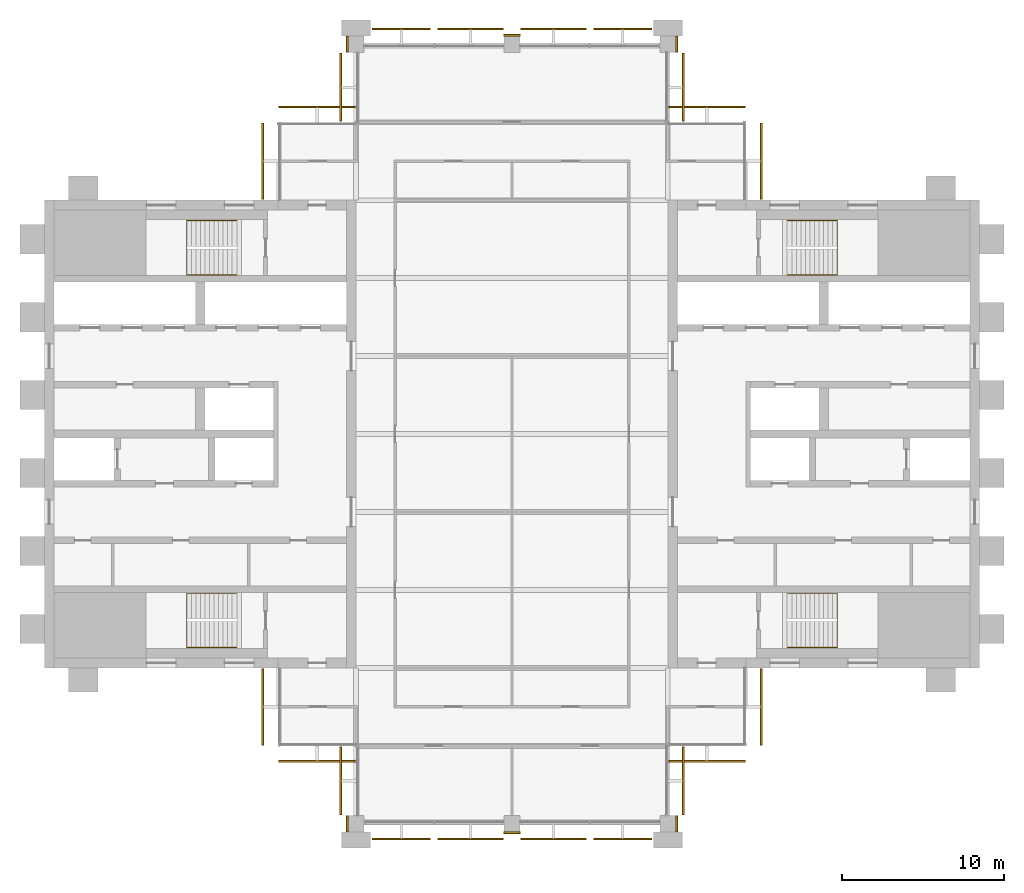
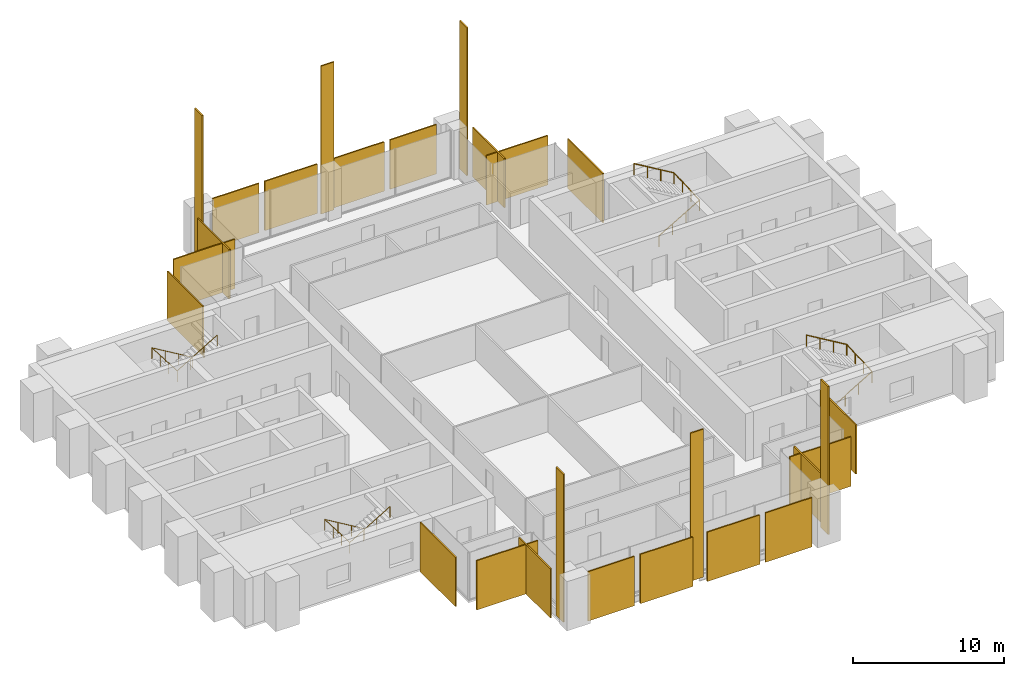
# One storey, part 13 of 13: 26 coverings, 4 railings.
"""IFC4 building model written with IfcOpenShell, lengths in metres."""

from ifc_helpers import new_model, si_unit, direction, frame, origin, origin_2d, place, context, subcontext, project, spatial, polyline, rectangle, circle, outline, extrude, material, layer, layer_set, type_object, element, save


model = new_model("IFC4")

# Units and contexts
model_context = context("Model", 3, precision=1e-05, world=origin(), true_north=direction((0.0, 1.0)))
body_context = subcontext(model_context, "Body", "Model", "MODEL_VIEW")
ifc_project = project(units=[si_unit("LENGTHUNIT", "METRE"), si_unit("AREAUNIT", "SQUARE_METRE"), si_unit("VOLUMEUNIT", "CUBIC_METRE"), si_unit("PLANEANGLEUNIT", "RADIAN"), si_unit("MASSUNIT", "GRAM", prefix="KILO")], contexts=[model_context])

# Site, building, storey
site_placement = place(None, origin())
site = spatial("IfcSite", under=ifc_project, at=site_placement, CompositionType="ELEMENT")
building_placement = place(site_placement, origin())
building = spatial("IfcBuilding", under=site, at=building_placement, Name="Baori Bourse Tower", CompositionType="ELEMENT")
storey_placement = place(building_placement, frame((0.0, 0.0, 294.300048828125)))
storey = spatial("IfcBuildingStorey", under=building, at=storey_placement, Name="L64", CompositionType="ELEMENT", Elevation=294.300048828125)

# Railings
ifc_material_1 = material(Name="Powder-coated steel balustrade", Category="steel")
railing_type = type_object("IfcRailingType", Name="Core stair handrail", PredefinedType="HANDRAIL", material=ifc_material_1)
railing_1_placement = place(storey_placement, frame((11.85009765625, 14.199951171875, 0.16650390625)))
element("IfcRailing", 1, at=railing_1_placement, inside=storey, type_object=railing_type, Name="L64 ST1 stair handrail 1", PredefinedType="HANDRAIL", context=body_context, shape_type="SweptSolid", body=[
    extrude(circle(Radius=0.02392578125, at=origin_2d()), frame((0.0, 0.0, 0.8759765625), z_axis=(-0.85927862911, 0.0, 0.511507807912), x_axis=(0.0, -1.0, 0.0)), (0.0, 0.0, 1.0), 3.58447265625),
    extrude(circle(Radius=0.02392578125, at=origin_2d()), frame((-3.080078125, 0.0, 2.70947265625), z_axis=(0.0, -0.998766999029, 0.049643545903), x_axis=(1.0, 0.0, 0.0)), (0.0, 0.0, 1.0), 3.35400390625),
    extrude(circle(Radius=0.02392578125, at=origin_2d()), frame((-3.080078125, -3.349853515625, 2.8759765625), z_axis=(0.85927862911, 0.0, 0.511507807912), x_axis=(0.0, 1.0, 0.0)), (0.0, 0.0, 1.0), 3.58447265625),
    extrude(circle(Radius=0.02099609375, at=origin_2d()), origin(), (0.0, 0.0, 1.0), 0.851806640625),
    extrude(circle(Radius=0.02099609375, at=origin_2d()), frame((-1.026611328125, 0.0, 0.611083984375)), (0.0, 0.0, 1.0), 0.851806640625),
    extrude(circle(Radius=0.02099609375, at=origin_2d()), frame((-2.053466796875, 0.0, 1.222412109375)), (0.0, 0.0, 1.0), 0.851806640625),
    extrude(circle(Radius=0.02099609375, at=origin_2d()), frame((-3.080078125, 0.0, 1.83349609375)), (0.0, 0.0, 1.0), 0.851806640625),
    extrude(circle(Radius=0.02099609375, at=origin_2d()), frame((-3.080078125, -1.11669921875, 1.888916015625)), (0.0, 0.0, 1.0), 0.851806640625),
    extrude(circle(Radius=0.02099609375, at=origin_2d()), frame((-3.080078125, -2.233154296875, 1.944580078125)), (0.0, 0.0, 1.0), 0.851806640625),
    extrude(circle(Radius=0.02099609375, at=origin_2d()), frame((-3.080078125, -3.349853515625, 2.0)), (0.0, 0.0, 1.0), 0.851806640625),
    extrude(circle(Radius=0.02099609375, at=origin_2d()), frame((-2.053466796875, -3.349853515625, 2.611083984375)), (0.0, 0.0, 1.0), 0.851806640625),
    extrude(circle(Radius=0.02099609375, at=origin_2d()), frame((-1.026611328125, -3.349853515625, 3.222412109375)), (0.0, 0.0, 1.0), 0.851806640625),
    extrude(circle(Radius=0.02099609375, at=origin_2d()), frame((0.0, -3.349853515625, 3.83349609375)), (0.0, 0.0, 1.0), 0.851806640625),
])
railing_2_placement = place(storey_placement, frame((11.85009765625, 37.14990234375, 0.16650390625)))
element("IfcRailing", 2, at=railing_2_placement, inside=storey, type_object=railing_type, Name="L64 ST2 stair handrail 1", PredefinedType="HANDRAIL", context=body_context, shape_type="SweptSolid", body=[
    extrude(circle(Radius=0.02392578125, at=origin_2d()), frame((0.0, 0.0, 0.8759765625), z_axis=(-0.85927862911, 0.0, 0.511507807912), x_axis=(0.0, -1.0, 0.0)), (0.0, 0.0, 1.0), 3.58447265625),
    extrude(circle(Radius=0.02392578125, at=origin_2d()), frame((-3.080078125, 0.0, 2.70947265625), z_axis=(0.0, -0.998766999029, 0.049643545903), x_axis=(1.0, 0.0, 0.0)), (0.0, 0.0, 1.0), 3.35400390625),
    extrude(circle(Radius=0.02392578125, at=origin_2d()), frame((-3.080078125, -3.349853515625, 2.8759765625), z_axis=(0.85927862911, 0.0, 0.511507807912), x_axis=(0.0, 1.0, 0.0)), (0.0, 0.0, 1.0), 3.58447265625),
    extrude(circle(Radius=0.02099609375, at=origin_2d()), origin(), (0.0, 0.0, 1.0), 0.851806640625),
    extrude(circle(Radius=0.02099609375, at=origin_2d()), frame((-1.026611328125, 0.0, 0.611083984375)), (0.0, 0.0, 1.0), 0.851806640625),
    extrude(circle(Radius=0.02099609375, at=origin_2d()), frame((-2.053466796875, 0.0, 1.222412109375)), (0.0, 0.0, 1.0), 0.851806640625),
    extrude(circle(Radius=0.02099609375, at=origin_2d()), frame((-3.080078125, 0.0, 1.83349609375)), (0.0, 0.0, 1.0), 0.851806640625),
    extrude(circle(Radius=0.02099609375, at=origin_2d()), frame((-3.080078125, -1.11669921875, 1.888916015625)), (0.0, 0.0, 1.0), 0.851806640625),
    extrude(circle(Radius=0.02099609375, at=origin_2d()), frame((-3.080078125, -2.233154296875, 1.944580078125)), (0.0, 0.0, 1.0), 0.851806640625),
    extrude(circle(Radius=0.02099609375, at=origin_2d()), frame((-3.080078125, -3.349853515625, 2.0)), (0.0, 0.0, 1.0), 0.851806640625),
    extrude(circle(Radius=0.02099609375, at=origin_2d()), frame((-2.053466796875, -3.349853515625, 2.611083984375)), (0.0, 0.0, 1.0), 0.851806640625),
    extrude(circle(Radius=0.02099609375, at=origin_2d()), frame((-1.026611328125, -3.349853515625, 3.222412109375)), (0.0, 0.0, 1.0), 0.851806640625),
    extrude(circle(Radius=0.02099609375, at=origin_2d()), frame((0.0, -3.349853515625, 3.83349609375)), (0.0, 0.0, 1.0), 0.851806640625),
])
railing_3_placement = place(storey_placement, frame((45.75, 10.85009765625, 0.16650390625)))
element("IfcRailing", 3, at=railing_3_placement, inside=storey, type_object=railing_type, Name="L64 ST3 stair handrail 1", PredefinedType="HANDRAIL", context=body_context, shape_type="SweptSolid", body=[
    extrude(circle(Radius=0.02392578125, at=origin_2d()), frame((0.0, 0.0, 0.8759765625), z_axis=(0.85927862911, 0.0, 0.511507807912), x_axis=(0.0, 1.0, 0.0)), (0.0, 0.0, 1.0), 3.58447265625),
    extrude(circle(Radius=0.02392578125, at=origin_2d()), frame((3.080078125, 0.0, 2.70947265625), z_axis=(0.0, 0.998766999029, 0.049643545903), x_axis=(-1.0, 0.0, 0.0)), (0.0, 0.0, 1.0), 3.35400390625),
    extrude(circle(Radius=0.02392578125, at=origin_2d()), frame((3.080078125, 3.349853515625, 2.8759765625), z_axis=(-0.85927862911, 0.0, 0.511507807912), x_axis=(0.0, -1.0, 0.0)), (0.0, 0.0, 1.0), 3.58447265625),
    extrude(circle(Radius=0.02099609375, at=origin_2d()), origin(), (0.0, 0.0, 1.0), 0.851806640625),
    extrude(circle(Radius=0.02099609375, at=origin_2d()), frame((1.026611328125, 0.0, 0.611083984375)), (0.0, 0.0, 1.0), 0.851806640625),
    extrude(circle(Radius=0.02099609375, at=origin_2d()), frame((2.053466796875, 0.0, 1.222412109375)), (0.0, 0.0, 1.0), 0.851806640625),
    extrude(circle(Radius=0.02099609375, at=origin_2d()), frame((3.080078125, 0.0, 1.83349609375)), (0.0, 0.0, 1.0), 0.851806640625),
    extrude(circle(Radius=0.02099609375, at=origin_2d()), frame((3.080078125, 1.11669921875, 1.888916015625)), (0.0, 0.0, 1.0), 0.851806640625),
    extrude(circle(Radius=0.02099609375, at=origin_2d()), frame((3.080078125, 2.233154296875, 1.944580078125)), (0.0, 0.0, 1.0), 0.851806640625),
    extrude(circle(Radius=0.02099609375, at=origin_2d()), frame((3.080078125, 3.349853515625, 2.0)), (0.0, 0.0, 1.0), 0.851806640625),
    extrude(circle(Radius=0.02099609375, at=origin_2d()), frame((2.053466796875, 3.349853515625, 2.611083984375)), (0.0, 0.0, 1.0), 0.851806640625),
    extrude(circle(Radius=0.02099609375, at=origin_2d()), frame((1.026611328125, 3.349853515625, 3.222412109375)), (0.0, 0.0, 1.0), 0.851806640625),
    extrude(circle(Radius=0.02099609375, at=origin_2d()), frame((0.0, 3.349853515625, 3.83349609375)), (0.0, 0.0, 1.0), 0.851806640625),
])
railing_4_placement = place(storey_placement, frame((45.75, 33.800048828125, 0.16650390625)))
element("IfcRailing", 4, at=railing_4_placement, inside=storey, type_object=railing_type, Name="L64 ST4 stair handrail 1", PredefinedType="HANDRAIL", context=body_context, shape_type="SweptSolid", body=[
    extrude(circle(Radius=0.02392578125, at=origin_2d()), frame((0.0, 0.0, 0.8759765625), z_axis=(0.85927862911, 0.0, 0.511507807912), x_axis=(0.0, 1.0, 0.0)), (0.0, 0.0, 1.0), 3.58447265625),
    extrude(circle(Radius=0.02392578125, at=origin_2d()), frame((3.080078125, 0.0, 2.70947265625), z_axis=(0.0, 0.998766999029, 0.049643545903), x_axis=(-1.0, 0.0, 0.0)), (0.0, 0.0, 1.0), 3.35400390625),
    extrude(circle(Radius=0.02392578125, at=origin_2d()), frame((3.080078125, 3.349853515625, 2.8759765625), z_axis=(-0.85927862911, 0.0, 0.511507807912), x_axis=(0.0, -1.0, 0.0)), (0.0, 0.0, 1.0), 3.58447265625),
    extrude(circle(Radius=0.02099609375, at=origin_2d()), origin(), (0.0, 0.0, 1.0), 0.851806640625),
    extrude(circle(Radius=0.02099609375, at=origin_2d()), frame((1.026611328125, 0.0, 0.611083984375)), (0.0, 0.0, 1.0), 0.851806640625),
    extrude(circle(Radius=0.02099609375, at=origin_2d()), frame((2.053466796875, 0.0, 1.222412109375)), (0.0, 0.0, 1.0), 0.851806640625),
    extrude(circle(Radius=0.02099609375, at=origin_2d()), frame((3.080078125, 0.0, 1.83349609375)), (0.0, 0.0, 1.0), 0.851806640625),
    extrude(circle(Radius=0.02099609375, at=origin_2d()), frame((3.080078125, 1.11669921875, 1.888916015625)), (0.0, 0.0, 1.0), 0.851806640625),
    extrude(circle(Radius=0.02099609375, at=origin_2d()), frame((3.080078125, 2.233154296875, 1.944580078125)), (0.0, 0.0, 1.0), 0.851806640625),
    extrude(circle(Radius=0.02099609375, at=origin_2d()), frame((3.080078125, 3.349853515625, 2.0)), (0.0, 0.0, 1.0), 0.851806640625),
    extrude(circle(Radius=0.02099609375, at=origin_2d()), frame((2.053466796875, 3.349853515625, 2.611083984375)), (0.0, 0.0, 1.0), 0.851806640625),
    extrude(circle(Radius=0.02099609375, at=origin_2d()), frame((1.026611328125, 3.349853515625, 3.222412109375)), (0.0, 0.0, 1.0), 0.851806640625),
    extrude(circle(Radius=0.02099609375, at=origin_2d()), frame((0.0, 3.349853515625, 3.83349609375)), (0.0, 0.0, 1.0), 0.851806640625),
])

# Coverings
ifc_material_2 = material(Name="Pale anodised aluminium", Category="aluminium")
ifc_layer_1 = layer(ifc_material_2, 0.10009765625)
ifc_layer_set_1 = layer_set([ifc_layer_1], Name="OS3 Outer skin screen panel")
covering_type_1 = type_object("IfcCoveringType", Name="OS3 Outer skin screen panel", PredefinedType="CLADDING", material=ifc_layer_set_1)
covering_1_placement = place(storey_placement, frame((0.0, 0.0, -0.16015625)))
element("IfcCovering", 5, at=covering_1_placement, inside=storey, type_object=covering_type_1, Name="Outer skin screen L64 1", PredefinedType="CLADDING", context=body_context, shape_type="SweptSolid", body=[
    extrude(outline(polyline([(44.10009765625, 43.14990234375), (44.10009765625, 38.449951171875), (44.199951171875, 38.449951171875), (44.199951171875, 43.14990234375), (44.10009765625, 43.14990234375)])), origin(), (0.0, 0.0, 1.0), 4.0),
])
covering_2_placement = place(storey_placement, frame((0.0, 0.0, -0.16015625)))
element("IfcCovering", 6, at=covering_2_placement, inside=storey, type_object=covering_type_1, Name="Outer skin screen L64 2", PredefinedType="CLADDING", context=body_context, shape_type="SweptSolid", body=[
    extrude(outline(polyline([(38.449951171875, 44.10009765625), (43.14990234375, 44.10009765625), (43.14990234375, 44.199951171875), (38.449951171875, 44.199951171875), (38.449951171875, 44.10009765625)])), origin(), (0.0, 0.0, 1.0), 4.0),
])
covering_3_placement = place(storey_placement, frame((0.0, 0.0, -0.16015625)))
element("IfcCovering", 7, at=covering_3_placement, inside=storey, type_object=covering_type_1, Name="Outer skin screen L64 3", PredefinedType="CLADDING", context=body_context, shape_type="SweptSolid", body=[
    extrude(outline(polyline([(39.300048828125, 47.449951171875), (39.300048828125, 43.25), (39.39990234375, 43.25), (39.39990234375, 47.449951171875), (39.300048828125, 47.449951171875)])), origin(), (0.0, 0.0, 1.0), 4.0),
])
covering_4_placement = place(storey_placement, frame((0.0, 0.0, -0.16015625)))
element("IfcCovering", 8, at=covering_4_placement, inside=storey, type_object=covering_type_1, Name="Outer skin screen L64 4", PredefinedType="CLADDING", context=body_context, shape_type="SweptSolid", body=[
    extrude(outline(polyline([(33.824951171875, 48.89990234375), (37.39990234375, 48.89990234375), (37.39990234375, 49.0), (33.824951171875, 49.0), (33.824951171875, 48.89990234375)])), origin(), (0.0, 0.0, 1.0), 4.0),
])
covering_5_placement = place(storey_placement, frame((0.0, 0.0, -0.16015625)))
element("IfcCovering", 9, at=covering_5_placement, inside=storey, type_object=covering_type_1, Name="Outer skin screen L64 5", PredefinedType="CLADDING", context=body_context, shape_type="SweptSolid", body=[
    extrude(outline(polyline([(29.35009765625, 48.89990234375), (33.375, 48.89990234375), (33.375, 49.0), (29.35009765625, 49.0), (29.35009765625, 48.89990234375)])), origin(), (0.0, 0.0, 1.0), 4.0),
])
covering_6_placement = place(storey_placement, frame((0.0, 0.0, -0.16015625)))
element("IfcCovering", 10, at=covering_6_placement, inside=storey, type_object=covering_type_1, Name="Outer skin screen L64 6", PredefinedType="CLADDING", context=body_context, shape_type="SweptSolid", body=[
    extrude(outline(polyline([(24.22509765625, 48.89990234375), (28.25, 48.89990234375), (28.25, 49.0), (24.22509765625, 49.0), (24.22509765625, 48.89990234375)])), origin(), (0.0, 0.0, 1.0), 4.0),
])
covering_7_placement = place(storey_placement, frame((0.0, 0.0, -0.16015625)))
element("IfcCovering", 11, at=covering_7_placement, inside=storey, type_object=covering_type_1, Name="Outer skin screen L64 7", PredefinedType="CLADDING", context=body_context, shape_type="SweptSolid", body=[
    extrude(outline(polyline([(20.199951171875, 48.89990234375), (23.77490234375, 48.89990234375), (23.77490234375, 49.0), (20.199951171875, 49.0), (20.199951171875, 48.89990234375)])), origin(), (0.0, 0.0, 1.0), 4.0),
])
covering_8_placement = place(storey_placement, frame((0.0, 0.0, -0.16015625)))
element("IfcCovering", 12, at=covering_8_placement, inside=storey, type_object=covering_type_1, Name="Outer skin screen L64 8", PredefinedType="CLADDING", context=body_context, shape_type="SweptSolid", body=[
    extrude(outline(polyline([(18.300048828125, 43.25), (18.300048828125, 47.449951171875), (18.199951171875, 47.449951171875), (18.199951171875, 43.25), (18.300048828125, 43.25)])), origin(), (0.0, 0.0, 1.0), 4.0),
])
covering_9_placement = place(storey_placement, frame((0.0, 0.0, -0.16015625)))
element("IfcCovering", 13, at=covering_9_placement, inside=storey, type_object=covering_type_1, Name="Outer skin screen L64 9", PredefinedType="CLADDING", context=body_context, shape_type="SweptSolid", body=[
    extrude(outline(polyline([(14.449951171875, 44.10009765625), (19.14990234375, 44.10009765625), (19.14990234375, 44.199951171875), (14.449951171875, 44.199951171875), (14.449951171875, 44.10009765625)])), origin(), (0.0, 0.0, 1.0), 4.0),
])
covering_10_placement = place(storey_placement, frame((0.0, 0.0, -0.16015625)))
element("IfcCovering", 14, at=covering_10_placement, inside=storey, type_object=covering_type_1, Name="Outer skin screen L64 10", PredefinedType="CLADDING", context=body_context, shape_type="SweptSolid", body=[
    extrude(outline(polyline([(13.5, 38.449951171875), (13.5, 43.14990234375), (13.39990234375, 43.14990234375), (13.39990234375, 38.449951171875), (13.5, 38.449951171875)])), origin(), (0.0, 0.0, 1.0), 4.0),
])
covering_11_placement = place(storey_placement, frame((0.0, 0.0, -0.16015625)))
element("IfcCovering", 15, at=covering_11_placement, inside=storey, type_object=covering_type_1, Name="Outer skin screen L64 11", PredefinedType="CLADDING", context=body_context, shape_type="SweptSolid", body=[
    extrude(outline(polyline([(13.5, 4.85009765625), (13.5, 9.550048828125), (13.39990234375, 9.550048828125), (13.39990234375, 4.85009765625), (13.5, 4.85009765625)])), origin(), (0.0, 0.0, 1.0), 4.0),
])
covering_12_placement = place(storey_placement, frame((0.0, 0.0, -0.16015625)))
element("IfcCovering", 16, at=covering_12_placement, inside=storey, type_object=covering_type_1, Name="Outer skin screen L64 12", PredefinedType="CLADDING", context=body_context, shape_type="SweptSolid", body=[
    extrude(outline(polyline([(19.14990234375, 3.89990234375), (14.449951171875, 3.89990234375), (14.449951171875, 3.800048828125), (19.14990234375, 3.800048828125), (19.14990234375, 3.89990234375)])), origin(), (0.0, 0.0, 1.0), 4.0),
])
covering_13_placement = place(storey_placement, frame((0.0, 0.0, -0.16015625)))
element("IfcCovering", 17, at=covering_13_placement, inside=storey, type_object=covering_type_1, Name="Outer skin screen L64 13", PredefinedType="CLADDING", context=body_context, shape_type="SweptSolid", body=[
    extrude(outline(polyline([(18.300048828125, 0.550048828125), (18.300048828125, 4.75), (18.199951171875, 4.75), (18.199951171875, 0.550048828125), (18.300048828125, 0.550048828125)])), origin(), (0.0, 0.0, 1.0), 4.0),
])
covering_14_placement = place(storey_placement, frame((0.0, 0.0, -0.16015625)))
element("IfcCovering", 18, at=covering_14_placement, inside=storey, type_object=covering_type_1, Name="Outer skin screen L64 14", PredefinedType="CLADDING", context=body_context, shape_type="SweptSolid", body=[
    extrude(outline(polyline([(23.77490234375, -0.89990234375), (20.199951171875, -0.89990234375), (20.199951171875, -1.0), (23.77490234375, -1.0), (23.77490234375, -0.89990234375)])), origin(), (0.0, 0.0, 1.0), 4.0),
])
covering_15_placement = place(storey_placement, frame((0.0, 0.0, -0.16015625)))
element("IfcCovering", 19, at=covering_15_placement, inside=storey, type_object=covering_type_1, Name="Outer skin screen L64 15", PredefinedType="CLADDING", context=body_context, shape_type="SweptSolid", body=[
    extrude(outline(polyline([(28.25, -0.89990234375), (24.22509765625, -0.89990234375), (24.22509765625, -1.0), (28.25, -1.0), (28.25, -0.89990234375)])), origin(), (0.0, 0.0, 1.0), 4.0),
])
covering_16_placement = place(storey_placement, frame((0.0, 0.0, -0.16015625)))
element("IfcCovering", 20, at=covering_16_placement, inside=storey, type_object=covering_type_1, Name="Outer skin screen L64 16", PredefinedType="CLADDING", context=body_context, shape_type="SweptSolid", body=[
    extrude(outline(polyline([(33.375, -0.89990234375), (29.35009765625, -0.89990234375), (29.35009765625, -1.0), (33.375, -1.0), (33.375, -0.89990234375)])), origin(), (0.0, 0.0, 1.0), 4.0),
])
covering_17_placement = place(storey_placement, frame((0.0, 0.0, -0.16015625)))
element("IfcCovering", 21, at=covering_17_placement, inside=storey, type_object=covering_type_1, Name="Outer skin screen L64 17", PredefinedType="CLADDING", context=body_context, shape_type="SweptSolid", body=[
    extrude(outline(polyline([(37.39990234375, -0.89990234375), (33.824951171875, -0.89990234375), (33.824951171875, -1.0), (37.39990234375, -1.0), (37.39990234375, -0.89990234375)])), origin(), (0.0, 0.0, 1.0), 4.0),
])
covering_18_placement = place(storey_placement, frame((0.0, 0.0, -0.16015625)))
element("IfcCovering", 22, at=covering_18_placement, inside=storey, type_object=covering_type_1, Name="Outer skin screen L64 18", PredefinedType="CLADDING", context=body_context, shape_type="SweptSolid", body=[
    extrude(outline(polyline([(39.300048828125, 4.75), (39.300048828125, 0.550048828125), (39.39990234375, 0.550048828125), (39.39990234375, 4.75), (39.300048828125, 4.75)])), origin(), (0.0, 0.0, 1.0), 4.0),
])
covering_19_placement = place(storey_placement, frame((0.0, 0.0, -0.16015625)))
element("IfcCovering", 23, at=covering_19_placement, inside=storey, type_object=covering_type_1, Name="Outer skin screen L64 19", PredefinedType="CLADDING", context=body_context, shape_type="SweptSolid", body=[
    extrude(outline(polyline([(43.14990234375, 3.89990234375), (38.449951171875, 3.89990234375), (38.449951171875, 3.800048828125), (43.14990234375, 3.800048828125), (43.14990234375, 3.89990234375)])), origin(), (0.0, 0.0, 1.0), 4.0),
])
covering_20_placement = place(storey_placement, frame((0.0, 0.0, -0.16015625)))
element("IfcCovering", 24, at=covering_20_placement, inside=storey, type_object=covering_type_1, Name="Outer skin screen L64 20", PredefinedType="CLADDING", context=body_context, shape_type="SweptSolid", body=[
    extrude(outline(polyline([(44.10009765625, 9.550048828125), (44.10009765625, 4.85009765625), (44.199951171875, 4.85009765625), (44.199951171875, 9.550048828125), (44.10009765625, 9.550048828125)])), origin(), (0.0, 0.0, 1.0), 4.0),
])
ifc_material_3 = material(Name="Face brick", Category="masonry")
ifc_layer_2 = layer(ifc_material_3, 0.110107421875)
ifc_layer_set_2 = layer_set([ifc_layer_2], Name="PC1 Brick pier facing")
covering_type_2 = type_object("IfcCoveringType", Name="PC1 Brick pier facing", PredefinedType="CLADDING", material=ifc_layer_set_2)
covering_21_placement = place(storey_placement, frame((18.64501953125, 0.0, 0.0), z_axis=(0.0, 0.0, 1.0), x_axis=(1.0, 0.0, 0.0)))
element("IfcCovering", 25, at=covering_21_placement, inside=storey, type_object=covering_type_2, Name="Brick pier facing L64 1", PredefinedType="CLADDING", context=body_context, shape_type="SweptSolid", body=[
    extrude(rectangle(XDim=0.110107421875, YDim=1.0, at=origin_2d()), origin(), (0.0, 0.0, 1.0), 12.0),
])
covering_22_placement = place(storey_placement, frame((28.800048828125, -0.554931640625, 0.0), z_axis=(0.0, 0.0, 1.0), x_axis=(1.0, 0.0, 0.0)))
element("IfcCovering", 26, at=covering_22_placement, inside=storey, type_object=covering_type_2, Name="Brick pier facing L64 2", PredefinedType="CLADDING", context=body_context, shape_type="SweptSolid", body=[
    extrude(rectangle(XDim=1.0, YDim=0.110107421875, at=origin_2d()), origin(), (0.0, 0.0, 1.0), 12.0),
])
for number, where, z_axis, x_axis, name in (
    (27, (38.955078125, 0.0, 0.0), (0.0, 0.0, 1.0), (1.0, 0.0, 0.0), "Brick pier facing L64 3"),
    (28, (18.64501953125, 48.0, 0.0), (0.0, 0.0, 1.0), (1.0, 0.0, 0.0), "Brick pier facing L64 4"),
):
    element("IfcCovering", number, at=place(storey_placement, frame(where, z_axis=z_axis, x_axis=x_axis)), inside=storey, type_object=covering_type_2, Name=name, PredefinedType="CLADDING", context=body_context, shape_type="SweptSolid", body=[
        extrude(rectangle(XDim=0.110107421875, YDim=1.0, at=origin_2d()), origin(), (0.0, 0.0, 1.0), 12.0),
    ])
covering_23_placement = place(storey_placement, frame((28.800048828125, 48.554931640625, 0.0), z_axis=(0.0, 0.0, 1.0), x_axis=(1.0, 0.0, 0.0)))
element("IfcCovering", 29, at=covering_23_placement, inside=storey, type_object=covering_type_2, Name="Brick pier facing L64 5", PredefinedType="CLADDING", context=body_context, shape_type="SweptSolid", body=[
    extrude(rectangle(XDim=1.0, YDim=0.110107421875, at=origin_2d()), origin(), (0.0, 0.0, 1.0), 12.0),
])
covering_24_placement = place(storey_placement, frame((38.955078125, 48.0, 0.0), z_axis=(0.0, 0.0, 1.0), x_axis=(1.0, 0.0, 0.0)))
element("IfcCovering", 30, at=covering_24_placement, inside=storey, type_object=covering_type_2, Name="Brick pier facing L64 6", PredefinedType="CLADDING", context=body_context, shape_type="SweptSolid", body=[
    extrude(rectangle(XDim=0.110107421875, YDim=1.0, at=origin_2d()), origin(), (0.0, 0.0, 1.0), 12.0),
])

save(model, "model.ifc")
